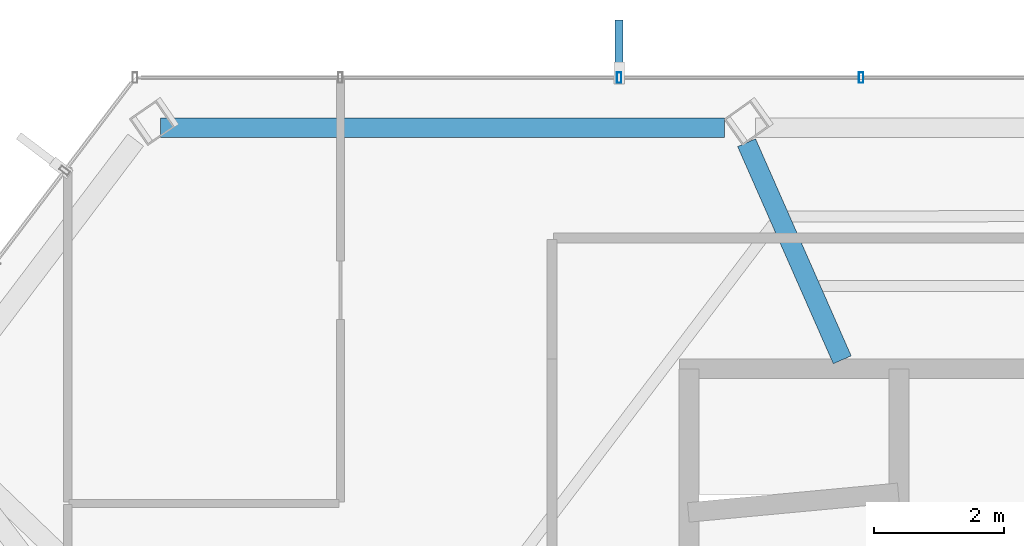
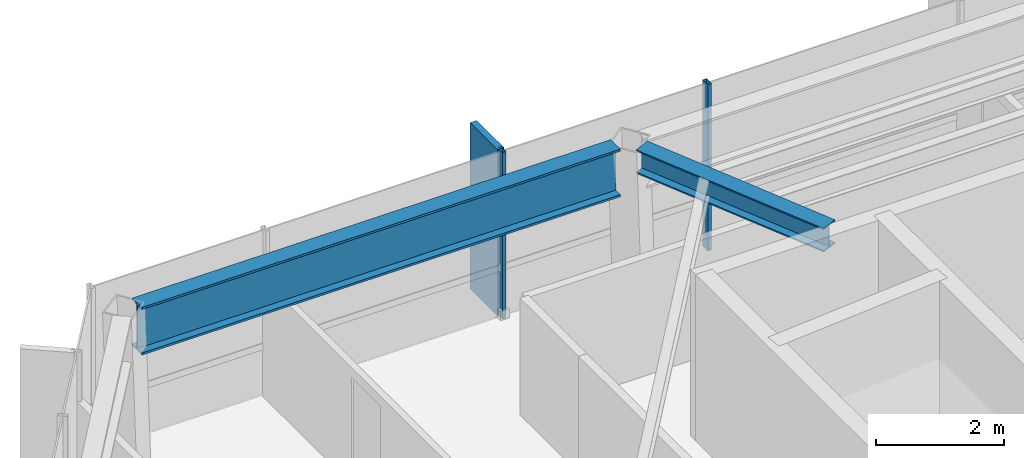
# One storey, part 12 of 26: 3 members, 2 beams, 1 element without a shape of its own.
"""IFC4 building model written with IfcOpenShell, lengths in metres."""

from ifc_helpers import new_model, si_unit, direction, frame, origin, origin_2d, place, context, subcontext, project, spatial, rectangle, hollow_rectangle, i_section, extrude, material, layer, layer_set, material_profile, profile_set, type_object, element, aggregate, save


model = new_model("IFC4")

# Units and contexts
model_context = context("Model", 3, precision=1e-05, world=origin(), true_north=direction((0.0, 1.0)))
body_context = subcontext(model_context, "Body", "Model", "MODEL_VIEW")
ifc_project = project(units=[si_unit("LENGTHUNIT", "METRE"), si_unit("AREAUNIT", "SQUARE_METRE"), si_unit("VOLUMEUNIT", "CUBIC_METRE"), si_unit("PLANEANGLEUNIT", "RADIAN"), si_unit("MASSUNIT", "GRAM", prefix="KILO")], contexts=[model_context])

# Site, building, storey
site_placement = place(None, origin())
site = spatial("IfcSite", under=ifc_project, at=site_placement, CompositionType="ELEMENT")
building_placement = place(site_placement, origin())
building = spatial("IfcBuilding", under=site, at=building_placement, Name="Zarrinselat Tower", CompositionType="ELEMENT")
storey_placement = place(building_placement, frame((0.0, 0.0, 265.199951171875)))
storey = spatial("IfcBuildingStorey", under=building, at=storey_placement, Name="L67", CompositionType="ELEMENT", Elevation=265.199951171875)

# Beams
ifc_material_1 = material(Name="Steel S355J2", Category="steel")
ifc_material_profile_1 = material_profile(ifc_material_1, i_section(OverallWidth=0.300048828125, OverallDepth=0.449951171875, WebThickness=0.013916015625, FlangeThickness=0.02587890625, at=origin_2d()), Name="HEB 450")
ifc_profile_set_1 = profile_set([ifc_material_profile_1], Name="Steel S355J2")
beam_type_1 = type_object("IfcBeamType", Name="BM-HEB450", PredefinedType="BEAM", material=ifc_profile_set_1)
beam_1_placement = place(storey_placement, frame((29.532958984375, 46.869384765625, 2.955078125), z_axis=(0.403228794542, -0.9150991964, 0.0), x_axis=(0.9150991964, 0.403228794542, 0.0)))
element("IfcBeam", 1, at=beam_1_placement, inside=storey, type_object=beam_type_1, Name="L67 Radial Primary Girder RG04", PredefinedType="BEAM", context=body_context, shape_type="SweptSolid", body=[
    extrude(i_section(OverallWidth=0.300048828125, OverallDepth=0.449951171875, WebThickness=0.013916015625, FlangeThickness=0.02587890625, at=origin_2d()), origin(), (0.0, 0.0, 1.0), 3.63818359375),
])
ifc_material_2 = material(Name="Steel S460M", Category="steel")
ifc_material_profile_2 = material_profile(ifc_material_2, i_section(OverallWidth=0.302001953125, OverallDepth=0.909912109375, WebThickness=0.02099609375, FlangeThickness=0.0400390625, at=origin_2d()), Name="HEM 900")
ifc_profile_set_2 = profile_set([ifc_material_profile_2], Name="Steel S460M")
beam_type_2 = type_object("IfcBeamType", Name="BM-HEM900", PredefinedType="BEAM", material=ifc_profile_set_2)
beam_2_placement = place(storey_placement, frame((20.545166015625, 47.10009765625, 2.72509765625), z_axis=(1.0, 0.0, 0.0), x_axis=(0.0, 1.0, 0.0)))
element("IfcBeam", 2, at=beam_2_placement, inside=storey, type_object=beam_type_2, Name="L67 Perimeter Spandrel Girder SP04", PredefinedType="BEAM", context=body_context, shape_type="SweptSolid", body=[
    extrude(i_section(OverallWidth=0.302001953125, OverallDepth=0.909912109375, WebThickness=0.02099609375, FlangeThickness=0.0400390625, at=origin_2d()), origin(), (0.0, 0.0, 1.0), 8.648193359375),
])

# Curtain wall, members
ifc_material_3 = material(Name="Extruded Aluminium Alloy EN AW-6063 T6", Category="aluminium")
ifc_layer = layer(ifc_material_3, 0.169921875)
ifc_layer_set = layer_set([ifc_layer], Name="Extruded Aluminium Alloy EN AW-6063 T6")
curtain_wall_type = type_object("IfcCurtainWallType", Name="CWS-RES", PredefinedType="NOTDEFINED", material=ifc_layer_set)
curtain_wall_placement = place(storey_placement, origin())
curtain_wall = element("IfcCurtainWall", 3, at=curtain_wall_placement, inside=storey, type_object=curtain_wall_type, Name="L67 Unitised Curtain Wall CW-L67-E01", PredefinedType="NOTDEFINED")
ifc_material_4 = material(Name="Extruded Aluminium Alloy EN AW-6063 T6", Category="aluminium")
ifc_material_profile_3 = material_profile(ifc_material_4, hollow_rectangle(XDim=0.070068359375, YDim=0.159912109375, WallThickness=0.00390625, at=origin_2d()), Name="RHS 160x70x4")
ifc_profile_set_3 = profile_set([ifc_material_profile_3], Name="Extruded Aluminium Alloy EN AW-6063 T6")
member_type_1 = type_object("IfcMemberType", Name="MEM-CW-MUL2", PredefinedType="MULLION", material=ifc_profile_set_3)
member_1_placement = place(storey_placement, frame((31.289794921875, 47.86669921875, 0.0), z_axis=(0.0, 0.0, 1.0), x_axis=(-1.0, 0.0, 0.0)))
member_1 = element("IfcMember", 4, at=member_1_placement, type_object=member_type_1, Name="CW-L67-E01 Mullion 8", PredefinedType="MULLION", context=body_context, shape_type="SweptSolid", body=[
    extrude(hollow_rectangle(XDim=0.070068359375, YDim=0.159912109375, WallThickness=0.00390625, at=origin_2d()), origin(), (0.0, 0.0, 1.0), 3.179931640625),
])
member_2_placement = place(storey_placement, frame((27.57763671875, 47.86669921875, 0.0), z_axis=(0.0, 0.0, 1.0), x_axis=(-1.0, 0.0, 0.0)))
member_2 = element("IfcMember", 5, at=member_2_placement, type_object=member_type_1, Name="CW-L67-E01 Mullion 9", PredefinedType="MULLION", context=body_context, shape_type="SweptSolid", body=[
    extrude(hollow_rectangle(XDim=0.070068359375, YDim=0.159912109375, WallThickness=0.00390625, at=origin_2d()), origin(), (0.0, 0.0, 1.0), 3.179931640625),
])
ifc_material_5 = material(Name="Honed Cream Travertine Stone", Category="masonry")
ifc_material_profile_4 = material_profile(ifc_material_5, rectangle(XDim=0.1201171875, YDim=0.85009765625, at=origin_2d()), Name="FIN 850x120")
ifc_profile_set_4 = profile_set([ifc_material_profile_4], Name="Honed Cream Travertine Stone")
member_type_2 = type_object("IfcMemberType", Name="MEM-STONE-FIN", PredefinedType="USERDEFINED", material=ifc_profile_set_4)
member_3_placement = place(storey_placement, frame((27.57763671875, 48.32666015625, 0.0), z_axis=(0.0, 0.0, 1.0), x_axis=(1.0, 0.0, 0.0)))
member_3 = element("IfcMember", 6, at=member_3_placement, type_object=member_type_2, Name="L67 Stone Shading Fin CW-L67-E01-09", ObjectType="FIN", PredefinedType="USERDEFINED", context=body_context, shape_type="SweptSolid", body=[
    extrude(rectangle(XDim=0.1201171875, YDim=0.85009765625, at=origin_2d()), origin(), (0.0, 0.0, 1.0), 3.179931640625),
])
aggregate(curtain_wall, [member_1, member_2, member_3])

save(model, "model.ifc")
